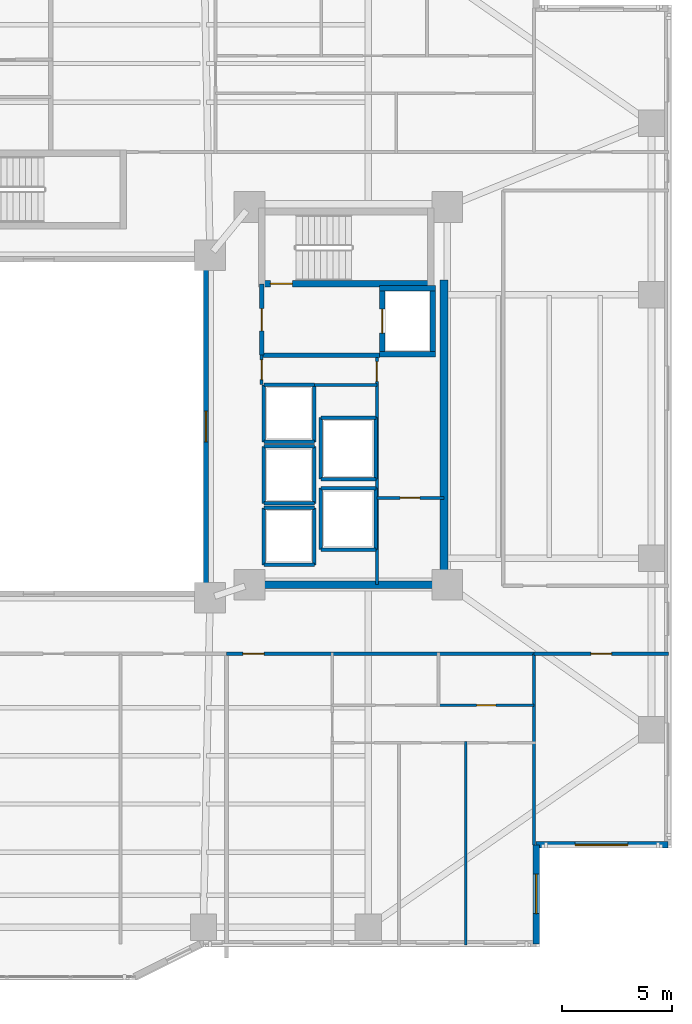
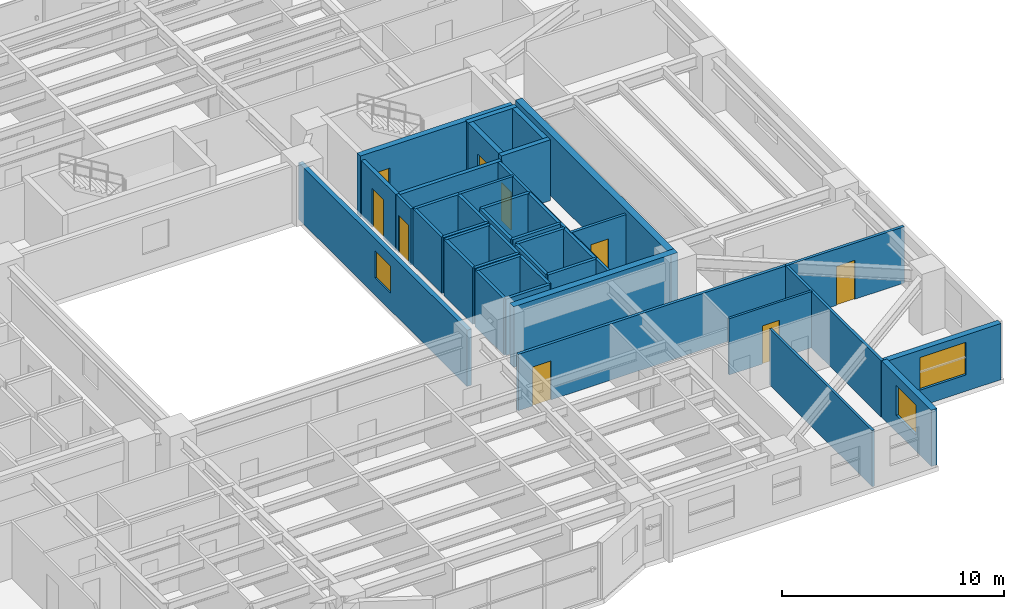
# One storey, part 12 of 20: 41 walls, 9 doors, 3 windows, 12 openings.
"""IFC4 building model written with IfcOpenShell, lengths in metres."""

import ifcopenshell
import ifcopenshell.guid

model = None  # the IFC model being written
_history = None  # IfcOwnerHistory: only IFC2X3 demands one
_inside = {}  # id of a spatial element -> (the spatial element, [elements in it])
_under = {}  # id of a project, library or spatial element -> (it, [spatial elements below it])
_declared = {}  # id of a project -> (the project, [libraries it declares])
_typed = {}  # id of a type object -> (the type object, [elements of that type])
_made_of = {}  # id of a material, layer set ... -> (it, [elements and type objects made of it])


def new_model(schema):
    """Start an empty IFC model of exactly this schema.

    Asked for "IFC4X3", IfcOpenShell would pick the latest addendum, in which some entities
    have other attributes; the version numbers below select the first issue.
    IFC2X3 requires an IfcOwnerHistory on every rooted entity: one is made here for all.
    """
    global model, _history
    if schema == "IFC4X3":
        model = ifcopenshell.file(schema_version=(4, 3, 0, 0))
    else:
        model = ifcopenshell.file(schema=schema)
    _inside.clear()
    _under.clear()
    _declared.clear()
    _typed.clear()
    _made_of.clear()
    _history = None
    if model.schema == "IFC2X3":
        org = make("IfcOrganization", Name="unknown")
        user = make(
            "IfcPersonAndOrganization",
            ThePerson=make("IfcPerson", FamilyName="unknown"),
            TheOrganization=org,
        )
        app = make(
            "IfcApplication",
            ApplicationDeveloper=org,
            Version="unknown",
            ApplicationFullName="unknown",
            ApplicationIdentifier="unknown",
        )
        _history = make(
            "IfcOwnerHistory",
            OwningUser=user,
            OwningApplication=app,
            ChangeAction="ADDED",
            CreationDate=0,
        )
    return model


def make(cls, **values):
    """One entity of the class cls with the attributes given. An attribute that is None is left unset."""
    return model.create_entity(
        cls, **{name: value for name, value in values.items() if value is not None}
    )


def rooted(cls, **values):
    """An entity with a GlobalId (a new one), such as an element, a storey or a relation."""
    return make(cls, GlobalId=ifcopenshell.guid.new(), OwnerHistory=_history, **values)


def si_unit(unit_type, name, prefix=None):
    """IfcSIUnit, for example si_unit("LENGTHUNIT", "METRE", prefix="MILLI")."""
    return make("IfcSIUnit", UnitType=unit_type, Prefix=prefix, Name=name)


def assignment(units):
    """IfcUnitAssignment: the units of a project."""
    return None if units is None else make("IfcUnitAssignment", Units=units)


def point(xyz):
    """IfcCartesianPoint."""
    return None if xyz is None else make("IfcCartesianPoint", Coordinates=xyz)


def direction(xyz):
    """IfcDirection."""
    return None if xyz is None else make("IfcDirection", DirectionRatios=xyz)


def frame(location, z_axis=None, x_axis=None):
    """IfcAxis2Placement3D, a coordinate frame: its origin and axes. An axis left out is left unset."""
    return make(
        "IfcAxis2Placement3D",
        Location=point(location),
        Axis=direction(z_axis),
        RefDirection=direction(x_axis),
    )


def frame_2d(location, x_axis=None):
    """IfcAxis2Placement2D, a coordinate frame in the plane: its origin and x axis."""
    return make(
        "IfcAxis2Placement2D", Location=point(location), RefDirection=direction(x_axis)
    )


def origin():
    """The frame at (0, 0, 0) with its axes left unset."""
    return frame((0.0, 0.0, 0.0))


def place(relative_to, where):
    """IfcLocalPlacement: puts the frame where relative to a parent placement (None: the world)."""
    return make(
        "IfcLocalPlacement", PlacementRelTo=relative_to, RelativePlacement=where
    )


def context(
    kind, dimensions, precision=None, world=None, true_north=None, identifier=None
):
    """IfcGeometricRepresentationContext, for example the 3D "Model" context."""
    return make(
        "IfcGeometricRepresentationContext",
        ContextIdentifier=identifier,
        ContextType=kind,
        CoordinateSpaceDimension=dimensions,
        Precision=precision,
        WorldCoordinateSystem=world,
        TrueNorth=true_north,
    )


def subcontext(parent, identifier, kind, view, scale=None):
    """IfcGeometricRepresentationSubContext, for example "Body" below "Model"."""
    return make(
        "IfcGeometricRepresentationSubContext",
        ContextIdentifier=identifier,
        ContextType=kind,
        ParentContext=parent,
        TargetScale=scale,
        TargetView=view,
    )


def project(units=None, contexts=None):
    """IfcProject with its units and contexts."""
    return rooted(
        "IfcProject",
        Name="project",
        RepresentationContexts=contexts,
        UnitsInContext=assignment(units),
    )


def spatial(cls, under=None, at=None, **own):
    """A site, building, storey or space (cls), placed at a placement, below another one or the project."""
    s = rooted(cls, ObjectPlacement=at, **own)
    if under is not None:
        _under.setdefault(under.id(), (under, []))[1].append(s)
    return s


def profile(cls, at=None, kind="AREA", **sizes):
    """A parametric profile (cls). Its sizes go by their IFC names, for example OverallWidth=200.0."""
    return make(cls, ProfileType=kind, Position=at, **sizes)


def rectangle(**sizes):
    """IfcRectangleProfileDef."""
    return profile("IfcRectangleProfileDef", **sizes)


def extrude(swept, where, along, depth):
    """IfcExtrudedAreaSolid: the profile swept, set in the frame where, extruded along a direction by depth."""
    return make(
        "IfcExtrudedAreaSolid",
        SweptArea=swept,
        Position=where,
        ExtrudedDirection=direction(along),
        Depth=depth,
    )


def shape(context_of_items, identifier, shape_type, items):
    """IfcShapeRepresentation: the items that make up one representation, for example the "Body"."""
    return make(
        "IfcShapeRepresentation",
        ContextOfItems=context_of_items,
        RepresentationIdentifier=identifier,
        RepresentationType=shape_type,
        Items=items,
    )


def material(Name=None, Category=None):
    """IfcMaterial."""
    return make("IfcMaterial", Name=Name, Category=Category)


def layer(
    of_material, thickness, ventilated=None, Name=None, Category=None, Priority=None
):
    """IfcMaterialLayer: one layer of a wall or slab, of a material (None: an air gap)."""
    return make(
        "IfcMaterialLayer",
        Material=of_material,
        LayerThickness=thickness,
        IsVentilated=ventilated,
        Name=Name,
        Category=Category,
        Priority=Priority,
    )


def layer_set(layers, Name=None):
    """IfcMaterialLayerSet."""
    return make("IfcMaterialLayerSet", MaterialLayers=layers, LayerSetName=Name)


def made_of(thing, what):
    """Note that an element or type object is made of a material, layer set ...; save() writes the relation."""
    if what is not None:
        _made_of.setdefault(what.id(), (what, []))[1].append(thing)
    return thing


def type_object(cls, material=None, **own):
    """A type object (cls), such as IfcWallType, which elements share."""
    return made_of(rooted(cls, **own), material)


def element(
    cls,
    number,
    at=None,
    inside=None,
    cuts=None,
    type_object=None,
    material=None,
    context=None,
    identifier="Body",
    shape_type=None,
    held_by="IfcProductDefinitionShape",
    body=None,
    shapes=None,
    **own,
):
    """One element of the class cls, such as IfcWall. Its Tag is "e" and its number.

    at: its placement. inside: the storey or other place that contains it. cuts: it is an
    opening in that element (IfcRelVoidsElement). A single representation is given by context,
    identifier, shape_type and body (its items); several are given by shapes. held_by: the class
    of the entity that holds the representations. save() writes the other relations.
    """
    e = rooted(cls, Tag="e%d" % number, ObjectPlacement=at, **own)
    if body is not None:
        shapes = [shape(context, identifier, shape_type, body)]
    if shapes is not None:
        e.Representation = make(held_by, Representations=shapes)
    if inside is not None:
        _inside.setdefault(inside.id(), (inside, []))[1].append(e)
    if cuts is not None:
        rooted(
            "IfcRelVoidsElement", RelatingBuildingElement=cuts, RelatedOpeningElement=e
        )
    if type_object is not None:
        _typed.setdefault(type_object.id(), (type_object, []))[1].append(e)
    return made_of(e, material)


def fill(opening, filler):
    """IfcRelFillsElement: the door or window that sits in an opening."""
    return rooted(
        "IfcRelFillsElement",
        RelatingOpeningElement=opening,
        RelatedBuildingElement=filler,
    )


def aggregate(whole, parts):
    """IfcRelAggregates: a whole, such as a stair, and the parts it consists of."""
    return rooted("IfcRelAggregates", RelatingObject=whole, RelatedObjects=parts)


def save(model, path):
    """Write the relations noted so far, then the file.

    IfcRelAggregates (storeys below a building ...), IfcRelContainedInSpatialStructure (elements
    in a storey), IfcRelDefinesByType, IfcRelAssociatesMaterial and IfcRelDeclares: one each for
    every whole, place, type object, material and project.
    """
    for whole, parts in _under.values():
        aggregate(whole, parts)
    for where, things in _inside.values():
        rooted(
            "IfcRelContainedInSpatialStructure",
            RelatedElements=things,
            RelatingStructure=where,
        )
    for kind, things in _typed.values():
        rooted("IfcRelDefinesByType", RelatedObjects=things, RelatingType=kind)
    for what, things in _made_of.values():
        rooted("IfcRelAssociatesMaterial", RelatedObjects=things, RelatingMaterial=what)
    for by, libraries in _declared.values():
        rooted("IfcRelDeclares", RelatingContext=by, RelatedDefinitions=libraries)
    model.write(path)


model = new_model("IFC4")

# Units and contexts
model_context = context("Model", 3, precision=1e-05, world=origin(), true_north=direction((0.0, 1.0)))
body_context = subcontext(model_context, "Body", "Model", "MODEL_VIEW")
ifc_project = project(units=[si_unit("LENGTHUNIT", "METRE"), si_unit("AREAUNIT", "SQUARE_METRE"), si_unit("VOLUMEUNIT", "CUBIC_METRE"), si_unit("PLANEANGLEUNIT", "RADIAN"), si_unit("MASSUNIT", "GRAM", prefix="KILO")], contexts=[model_context])

# Site, building, storey
site_placement = place(None, origin())
site = spatial("IfcSite", under=ifc_project, at=site_placement, CompositionType="ELEMENT")
building_placement = place(site_placement, origin())
building = spatial("IfcBuilding", under=site, at=building_placement, Name="Tarnavaz Court Tower", CompositionType="ELEMENT")
storey_placement = place(building_placement, frame((0.0, 0.0, 34.050048828125)))
storey = spatial("IfcBuildingStorey", under=building, at=storey_placement, Name="L08", CompositionType="ELEMENT", Elevation=34.050048828125)

# Wall, opening, door
ifc_material_1 = material(Name="Concrete C60/75", Category="concrete")
ifc_layer_1 = layer(ifc_material_1, 0.25)
ifc_layer_set_1 = layer_set([ifc_layer_1], Name="Concrete C60/75")
wall_type_1 = type_object("IfcWallType", Name="WL-CORE-250-C60", PredefinedType="SHEAR", material=ifc_layer_set_1)
wall_1_placement = place(storey_placement, frame((15.64990234375, 3.175048828125, 0.0), z_axis=(0.0, 0.0, 1.0), x_axis=(0.0, 1.0, 0.0)))
wall_1 = element("IfcWall", 1, at=wall_1_placement, inside=storey, type_object=wall_type_1, Name="L08 Lift FL-E1 Shaft Wall 045", PredefinedType="SHEAR", context=body_context, shape_type="SweptSolid", body=[
    extrude(rectangle(XDim=3.25, YDim=0.25, at=frame_2d((1.625, 0.0))), origin(), (0.0, 0.0, 1.0), 3.349853515625),
])
opening_1_placement = place(wall_1_placement, frame((1.074951171875, 0.0, 0.0)))
opening_1 = element("IfcOpeningElement", 2, at=opening_1_placement, cuts=wall_1, Name="Opening LD1", PredefinedType="OPENING", context=body_context, shape_type="SweptSolid", body=[
    extrude(rectangle(XDim=1.10009765625, YDim=2.14990234375, at=frame_2d((0.550048828125, 1.074951171875))), frame((0.0, 0.135009765625, 0.0), z_axis=(0.0, -1.0, 0.0), x_axis=(1.0, 0.0, 0.0)), (0.0, 0.0, 1.0), 0.27001953125),
])
ifc_material_2 = material(Name="Stainless Steel", Category="steel")
door_type_1 = type_object("IfcDoorType", Name="DR-LD-1100", OperationType="NOTDEFINED", PredefinedType="DOOR", material=ifc_material_2)
door_1_placement = place(opening_1_placement, origin())
door_1 = element("IfcDoor", 3, at=door_1_placement, inside=storey, type_object=door_type_1, Name="L08 Lift Landing Door LD-FL-E1", OperationType="SLIDING_TO_LEFT", OverallHeight=2.14990234375, OverallWidth=1.10009765625, PredefinedType="DOOR", context=body_context, shape_type="SweptSolid", body=[
    extrude(rectangle(XDim=1.10009765625, YDim=2.14990234375, at=frame_2d((0.550048828125, 1.074951171875))), frame((0.0, 0.02490234375, 0.0), z_axis=(0.0, -1.0, 0.0), x_axis=(1.0, 0.0, 0.0)), (0.0, 0.0, 1.0), 0.050048828125),
])
fill(opening_1, door_1)

# Walls
wall_2_placement = place(storey_placement, frame((17.949951171875, 3.175048828125, 0.0), z_axis=(0.0, 0.0, 1.0), x_axis=(0.0, 1.0, 0.0)))
element("IfcWall", 4, at=wall_2_placement, inside=storey, type_object=wall_type_1, Name="L08 Lift FL-E1 Shaft Wall 046", PredefinedType="SHEAR", context=body_context, shape_type="SweptSolid", body=[
    extrude(rectangle(XDim=3.25, YDim=0.25, at=frame_2d((1.625, 0.0))), origin(), (0.0, 0.0, 1.0), 3.349853515625),
])
for number, where, z_axis, x_axis, name in (
    (5, (15.52490234375, 3.300048828125, 0.0), (0.0, 0.0, 1.0), (1.0, 0.0, 0.0), "L08 Lift FL-E1 Shaft Wall 047"),
    (6, (15.52490234375, 6.300048828125, 0.0), (0.0, 0.0, 1.0), (1.0, 0.0, 0.0), "L08 Lift FL-E1 Shaft Wall 048"),
):
    element("IfcWall", number, at=place(storey_placement, frame(where, z_axis=z_axis, x_axis=x_axis)), inside=storey, type_object=wall_type_1, Name=name, PredefinedType="SHEAR", context=body_context, shape_type="SweptSolid", body=[
        extrude(rectangle(XDim=2.550048828125, YDim=0.25, at=frame_2d((1.27490234375, 0.0))), origin(), (0.0, 0.0, 1.0), 3.349853515625),
    ])

# Wall, opening, door
ifc_layer_2 = layer(ifc_material_1, 0.300048828125)
ifc_layer_set_2 = layer_set([ifc_layer_2], Name="Concrete C60/75")
wall_type_2 = type_object("IfcWallType", Name="WL-CORE-300-C60", PredefinedType="SHEAR", material=ifc_layer_set_2)
wall_3_placement = place(storey_placement, frame((10.0, 6.5, 0.0), z_axis=(0.0, 0.0, 1.0), x_axis=(1.0, 0.0, 0.0)))
wall_3 = element("IfcWall", 7, at=wall_3_placement, inside=storey, type_object=wall_type_2, Name="L08 East Stair Core Wall 006", PredefinedType="SHEAR", context=body_context, shape_type="SweptSolid", body=[
    extrude(rectangle(XDim=8.0, YDim=0.300048828125, at=frame_2d((4.0, 0.0))), origin(), (0.0, 0.0, 1.0), 3.349853515625),
])
opening_2_placement = place(wall_3_placement, frame((0.550048828125, 0.0, 0.0)))
opening_2 = element("IfcOpeningElement", 8, at=opening_2_placement, cuts=wall_3, Name="Opening D01", PredefinedType="OPENING", context=body_context, shape_type="SweptSolid", body=[
    extrude(rectangle(XDim=1.0, YDim=2.14990234375, at=frame_2d((0.5, 1.074951171875))), frame((0.0, 0.159912109375, 0.0), z_axis=(0.0, -1.0, 0.0), x_axis=(1.0, 0.0, 0.0)), (0.0, 0.0, 1.0), 0.320068359375),
])
ifc_material_3 = material(Name="Fire-Rated Hardwood Timber Core", Category="wood")
door_type_2 = type_object("IfcDoorType", Name="DR-FD90-1000", OperationType="NOTDEFINED", PredefinedType="DOOR", material=ifc_material_3)
door_2_placement = place(opening_2_placement, origin())
door_2 = element("IfcDoor", 9, at=door_2_placement, inside=storey, type_object=door_type_2, Name="L08 Stair ST-E1 Exit Door", OperationType="SINGLE_SWING_RIGHT", OverallHeight=2.14990234375, OverallWidth=1.0, PredefinedType="DOOR", context=body_context, shape_type="SweptSolid", body=[
    extrude(rectangle(XDim=1.0, YDim=2.14990234375, at=frame_2d((0.5, 1.074951171875))), frame((0.0, 0.02490234375, 0.0), z_axis=(0.0, -1.0, 0.0), x_axis=(1.0, 0.0, 0.0)), (0.0, 0.0, 1.0), 0.050048828125),
])
fill(opening_2, door_2)

# Walls
ifc_layer_3 = layer(ifc_material_1, 0.35009765625)
ifc_layer_set_3 = layer_set([ifc_layer_3], Name="Concrete C60/75")
wall_type_3 = type_object("IfcWallType", Name="WL-CORE-350-C60", PredefinedType="SHEAR", material=ifc_layer_set_3)
wall_4_placement = place(storey_placement, frame((18.449951171875, -7.375, 0.0), z_axis=(0.0, 0.0, 1.0), x_axis=(0.0, 1.0, 0.0)))
element("IfcWall", 10, at=wall_4_placement, inside=storey, type_object=wall_type_3, Name="L08 East Core Shear Wall 071", PredefinedType="SHEAR", context=body_context, shape_type="SweptSolid", body=[
    extrude(rectangle(XDim=14.050048828125, YDim=0.35009765625, at=frame_2d((7.02490234375, 0.0))), origin(), (0.0, 0.0, 1.0), 3.349853515625),
])
wall_5_placement = place(storey_placement, frame((10.074951171875, -7.199951171875, 0.0), z_axis=(0.0, 0.0, 1.0), x_axis=(1.0, 0.0, 0.0)))
element("IfcWall", 11, at=wall_5_placement, inside=storey, type_object=wall_type_3, Name="L08 East Core South Shear Wall 072", PredefinedType="SHEAR", context=body_context, shape_type="SweptSolid", body=[
    extrude(rectangle(XDim=8.550048828125, YDim=0.35009765625, at=frame_2d((4.27490234375, 0.0))), origin(), (0.0, 0.0, 1.0), 3.349853515625),
])

# Wall, opening, window
ifc_material_4 = material(Name="Precast Concrete C40/50", Category="concrete")
ifc_layer_4 = layer(ifc_material_4, 0.300048828125)
ifc_layer_set_4 = layer_set([ifc_layer_4], Name="Precast Concrete C40/50")
wall_type_4 = type_object("IfcWallType", Name="WL-EXT-300", PredefinedType="SOLIDWALL", material=ifc_layer_set_4)
wall_6_placement = place(storey_placement, frame((28.64990234375, -19.050048828125, 0.0), z_axis=(0.0, 0.0, 1.0), x_axis=(-1.0, 0.0, 0.0)))
wall_6 = element("IfcWall", 12, at=wall_6_placement, inside=storey, type_object=wall_type_4, Name="L08 Exterior Terracotta Facade Wall 13", PredefinedType="SOLIDWALL", context=body_context, shape_type="SweptSolid", body=[
    extrude(rectangle(XDim=6.0, YDim=0.300048828125, at=frame_2d((3.0, 0.0))), origin(), (0.0, 0.0, 1.0), 3.099853515625),
])
opening_3_placement = place(wall_6_placement, frame((1.824951171875, 0.0, 0.89990234375)))
opening_3 = element("IfcOpeningElement", 13, at=opening_3_placement, cuts=wall_6, Name="Opening W06", PredefinedType="OPENING", context=body_context, shape_type="SweptSolid", body=[
    extrude(rectangle(XDim=2.39990234375, YDim=1.800048828125, at=frame_2d((1.199951171875, 0.89990234375))), frame((0.0, 0.159912109375, 0.0), z_axis=(0.0, -1.0, 0.0), x_axis=(1.0, 0.0, 0.0)), (0.0, 0.0, 1.0), 0.320068359375),
])
ifc_material_5 = material(Name="Double-Glazed Solar Low-E Glass", Category="glass")
window_type_1 = type_object("IfcWindowType", Name="WN-APT-2400", PartitioningType="TRIPLE_PANEL_VERTICAL", PredefinedType="WINDOW", material=ifc_material_5)
window_1_placement = place(opening_3_placement, origin())
window_1 = element("IfcWindow", 14, at=window_1_placement, inside=storey, type_object=window_type_1, Name="L08 South-East Corner Reading Room Window", OverallHeight=1.800048828125, OverallWidth=2.39990234375, PartitioningType="SINGLE_PANEL", PredefinedType="WINDOW", context=body_context, shape_type="SweptSolid", body=[
    extrude(rectangle(XDim=2.39990234375, YDim=1.800048828125, at=frame_2d((1.199951171875, 0.89990234375))), frame((0.0, 0.030029296875, 0.0), z_axis=(0.0, -1.0, 0.0), x_axis=(1.0, 0.0, 0.0)), (0.0, 0.0, 1.0), 0.06005859375),
])
fill(opening_3, window_1)

wall_7_placement = place(storey_placement, frame((22.64990234375, -19.050048828125, 0.0), z_axis=(0.0, 0.0, 1.0), x_axis=(0.0, -1.0, 0.0)))
wall_7 = element("IfcWall", 15, at=wall_7_placement, inside=storey, type_object=wall_type_4, Name="L08 Exterior Terracotta Facade Wall 14", PredefinedType="SOLIDWALL", context=body_context, shape_type="SweptSolid", body=[
    extrude(rectangle(XDim=4.5, YDim=0.300048828125, at=frame_2d((2.25, 0.0))), origin(), (0.0, 0.0, 1.0), 3.099853515625),
])
opening_4_placement = place(wall_7_placement, frame((1.33251953125, 0.0, 0.89990234375)))
opening_4 = element("IfcOpeningElement", 16, at=opening_4_placement, cuts=wall_7, Name="Opening W01", PredefinedType="OPENING", context=body_context, shape_type="SweptSolid", body=[
    extrude(rectangle(XDim=1.800048828125, YDim=1.64990234375, at=frame_2d((0.89990234375, 0.824951171875))), frame((0.0, 0.159912109375, 0.0), z_axis=(0.0, -1.0, 0.0), x_axis=(1.0, 0.0, 0.0)), (0.0, 0.0, 1.0), 0.320068359375),
])
window_type_2 = type_object("IfcWindowType", Name="WN-APT-1800", PartitioningType="DOUBLE_PANEL_VERTICAL", PredefinedType="WINDOW", material=ifc_material_5)
window_2_placement = place(opening_4_placement, origin())
window_2 = element("IfcWindow", 17, at=window_2_placement, inside=storey, type_object=window_type_2, Name="L08 Flat 04 Bedroom 3 Window", OverallHeight=1.64990234375, OverallWidth=1.800048828125, PartitioningType="SINGLE_PANEL", PredefinedType="WINDOW", context=body_context, shape_type="SweptSolid", body=[
    extrude(rectangle(XDim=1.800048828125, YDim=1.64990234375, at=frame_2d((0.89990234375, 0.824951171875))), frame((0.0, 0.030029296875, 0.0), z_axis=(0.0, -1.0, 0.0), x_axis=(1.0, 0.0, 0.0)), (0.0, 0.0, 1.0), 0.06005859375),
])
fill(opening_4, window_2)

# Wall, opening, door
ifc_material_6 = material(Name="Gypsum Fire-Board on Acoustic Metal Stud", Category="masonry")
ifc_layer_5 = layer(ifc_material_6, 0.14990234375)
ifc_layer_set_5 = layer_set([ifc_layer_5], Name="Gypsum Fire-Board on Acoustic Metal Stud")
wall_type_5 = type_object("IfcWallType", Name="WL-FIRE-150", PredefinedType="PARTITIONING", material=ifc_layer_set_5)
wall_8_placement = place(storey_placement, frame((8.550048828125, -10.35009765625, 0.0), z_axis=(0.0, 0.0, 1.0), x_axis=(1.0, 0.0, 0.0)))
wall_8 = element("IfcWall", 18, at=wall_8_placement, inside=storey, type_object=wall_type_5, Name="L08 SE Corridor Wall 086", PredefinedType="PARTITIONING", context=body_context, shape_type="SweptSolid", body=[
    extrude(rectangle(XDim=14.0, YDim=0.14990234375, at=frame_2d((7.0, 0.0))), origin(), (0.0, 0.0, 1.0), 3.099853515625),
])
opening_5_placement = place(wall_8_placement, frame((0.75, 0.0, 0.0)))
opening_5 = element("IfcOpeningElement", 19, at=opening_5_placement, cuts=wall_8, Name="Opening D06", PredefinedType="OPENING", context=body_context, shape_type="SweptSolid", body=[
    extrude(rectangle(XDim=0.9599609375, YDim=2.14990234375, at=frame_2d((0.47998046875, 1.074951171875))), frame((0.0, 0.0849609375, 0.0), z_axis=(0.0, -1.0, 0.0), x_axis=(1.0, 0.0, 0.0)), (0.0, 0.0, 1.0), 0.169921875),
])
door_type_3 = type_object("IfcDoorType", Name="DR-FD60-950", OperationType="NOTDEFINED", PredefinedType="DOOR", material=ifc_material_3)
door_3_placement = place(opening_5_placement, origin())
door_3 = element("IfcDoor", 20, at=door_3_placement, inside=storey, type_object=door_type_3, Name="L08 Flat 04 Entrance Door", OperationType="SINGLE_SWING_LEFT", OverallHeight=2.14990234375, OverallWidth=0.9599609375, PredefinedType="DOOR", context=body_context, shape_type="SweptSolid", body=[
    extrude(rectangle(XDim=0.9599609375, YDim=2.14990234375, at=frame_2d((0.47998046875, 1.074951171875))), frame((0.0, 0.02490234375, 0.0), z_axis=(0.0, -1.0, 0.0), x_axis=(1.0, 0.0, 0.0)), (0.0, 0.0, 1.0), 0.050048828125),
])
fill(opening_5, door_3)

wall_9_placement = place(storey_placement, frame((22.550048828125, -10.35009765625, 0.0), z_axis=(0.0, 0.0, 1.0), x_axis=(1.0, 0.0, 0.0)))
wall_9 = element("IfcWall", 21, at=wall_9_placement, inside=storey, type_object=wall_type_5, Name="L08 Interior Partition 132", PredefinedType="PARTITIONING", context=body_context, shape_type="SweptSolid", body=[
    extrude(rectangle(XDim=6.1298828125, YDim=0.14990234375, at=frame_2d((3.06494140625, 0.0))), origin(), (0.0, 0.0, 1.0), 3.099853515625),
])
opening_6_placement = place(wall_9_placement, frame((2.590087890625, 0.0, 0.0)))
opening_6 = element("IfcOpeningElement", 22, at=opening_6_placement, cuts=wall_9, Name="Opening D13", PredefinedType="OPENING", context=body_context, shape_type="SweptSolid", body=[
    extrude(rectangle(XDim=0.949951171875, YDim=2.14990234375, at=frame_2d((0.47509765625, 1.074951171875))), frame((0.0, 0.0849609375, 0.0), z_axis=(0.0, -1.0, 0.0), x_axis=(1.0, 0.0, 0.0)), (0.0, 0.0, 1.0), 0.169921875),
])
ifc_material_7 = material(Name="Engineered Oak Timber", Category="wood")
door_type_4 = type_object("IfcDoorType", Name="DR-INT-950", OperationType="NOTDEFINED", PredefinedType="DOOR", material=ifc_material_7)
door_4_placement = place(opening_6_placement, origin())
door_4 = element("IfcDoor", 23, at=door_4_placement, inside=storey, type_object=door_type_4, Name="L08 SE Reading Room Door", OperationType="SINGLE_SWING_RIGHT", OverallHeight=2.14990234375, OverallWidth=0.949951171875, PredefinedType="DOOR", context=body_context, shape_type="SweptSolid", body=[
    extrude(rectangle(XDim=0.949951171875, YDim=2.14990234375, at=frame_2d((0.47509765625, 1.074951171875))), frame((0.0, 0.02490234375, 0.0), z_axis=(0.0, -1.0, 0.0), x_axis=(1.0, 0.0, 0.0)), (0.0, 0.0, 1.0), 0.050048828125),
])
fill(opening_6, door_4)

# Wall
ifc_material_8 = material(Name="Autoclaved Aerated Concrete Blockwork", Category="masonry")
ifc_layer_6 = layer(ifc_material_8, 0.199951171875)
ifc_layer_set_6 = layer_set([ifc_layer_6], Name="Autoclaved Aerated Concrete Blockwork")
wall_type_6 = type_object("IfcWallType", Name="WL-FIRE-200", PredefinedType="SOLIDWALL", material=ifc_layer_set_6)
wall_10_placement = place(storey_placement, frame((10.14990234375, 3.25, 0.0), z_axis=(0.0, 0.0, 1.0), x_axis=(1.0, 0.0, 0.0)))
element("IfcWall", 24, at=wall_10_placement, inside=storey, type_object=wall_type_6, Name="L08 East Firefighting Lobby Wall 015", PredefinedType="SOLIDWALL", context=body_context, shape_type="SweptSolid", body=[
    extrude(rectangle(XDim=5.400146484375, YDim=0.199951171875, at=frame_2d((2.7001953125, 0.0))), origin(), (0.0, 0.0, 1.0), 3.099853515625),
])

# Wall, opening, door
wall_11_placement = place(storey_placement, frame((10.14990234375, 3.25, 0.0), z_axis=(0.0, 0.0, 1.0), x_axis=(0.0, 1.0, 0.0)))
wall_11 = element("IfcWall", 25, at=wall_11_placement, inside=storey, type_object=wall_type_6, Name="L08 East Firefighting Lobby Wall 016", PredefinedType="SOLIDWALL", context=body_context, shape_type="SweptSolid", body=[
    extrude(rectangle(XDim=3.25, YDim=0.199951171875, at=frame_2d((1.625, 0.0))), origin(), (0.0, 0.0, 1.0), 3.099853515625),
])
opening_7_placement = place(wall_11_placement, frame((1.10009765625, 0.0, 0.0)))
opening_7 = element("IfcOpeningElement", 26, at=opening_7_placement, cuts=wall_11, Name="Opening D05", PredefinedType="OPENING", context=body_context, shape_type="SweptSolid", body=[
    extrude(rectangle(XDim=1.02001953125, YDim=2.14990234375, at=frame_2d((0.510009765625, 1.074951171875))), frame((0.0, 0.10986328125, 0.0), z_axis=(0.0, -1.0, 0.0), x_axis=(1.0, 0.0, 0.0)), (0.0, 0.0, 1.0), 0.219970703125),
])
door_type_5 = type_object("IfcDoorType", Name="DR-FD60-1000", OperationType="NOTDEFINED", PredefinedType="DOOR", material=ifc_material_3)
door_5_placement = place(opening_7_placement, origin())
door_5 = element("IfcDoor", 27, at=door_5_placement, inside=storey, type_object=door_type_5, Name="L08 East Firefighting Lobby Door", OperationType="SINGLE_SWING_LEFT", OverallHeight=2.14990234375, OverallWidth=1.02001953125, PredefinedType="DOOR", context=body_context, shape_type="SweptSolid", body=[
    extrude(rectangle(XDim=1.02001953125, YDim=2.14990234375, at=frame_2d((0.510009765625, 1.074951171875))), frame((0.0, 0.02490234375, 0.0), z_axis=(0.0, -1.0, 0.0), x_axis=(1.0, 0.0, 0.0)), (0.0, 0.0, 1.0), 0.050048828125),
])
fill(opening_7, door_5)

ifc_material_9 = material(Name="Moisture-Resistant Gypsum Board Partition", Category="masonry")
ifc_layer_7 = layer(ifc_material_9, 0.1201171875)
ifc_layer_set_7 = layer_set([ifc_layer_7], Name="Moisture-Resistant Gypsum Board Partition")
wall_type_7 = type_object("IfcWallType", Name="WL-PART-120", PredefinedType="PARTITIONING", material=ifc_layer_set_7)
wall_12_placement = place(storey_placement, frame((18.199951171875, -12.68994140625, 0.0), z_axis=(0.0, 0.0, 1.0), x_axis=(1.0, 0.0, 0.0)))
wall_12 = element("IfcWall", 28, at=wall_12_placement, inside=storey, type_object=wall_type_7, Name="L08 Interior Partition 112", PredefinedType="PARTITIONING", context=body_context, shape_type="SweptSolid", body=[
    extrude(rectangle(XDim=4.35009765625, YDim=0.1201171875, at=frame_2d((2.175048828125, 0.0))), origin(), (0.0, 0.0, 1.0), 3.099853515625),
])
opening_8_placement = place(wall_12_placement, frame((1.735107421875, 0.0, 0.0)))
opening_8 = element("IfcOpeningElement", 29, at=opening_8_placement, cuts=wall_12, Name="Opening D14", PredefinedType="OPENING", context=body_context, shape_type="SweptSolid", body=[
    extrude(rectangle(XDim=0.8798828125, YDim=2.10009765625, at=frame_2d((0.43994140625, 1.050048828125))), frame((0.0, 0.070068359375, 0.0), z_axis=(0.0, -1.0, 0.0), x_axis=(1.0, 0.0, 0.0)), (0.0, 0.0, 1.0), 0.14013671875),
])
door_type_6 = type_object("IfcDoorType", Name="DR-INT-900", OperationType="NOTDEFINED", PredefinedType="DOOR", material=ifc_material_7)
door_6_placement = place(opening_8_placement, origin())
door_6 = element("IfcDoor", 30, at=door_6_placement, inside=storey, type_object=door_type_6, Name="L08 Flat 04 Bathroom Door", OperationType="SINGLE_SWING_RIGHT", OverallHeight=2.10009765625, OverallWidth=0.8798828125, PredefinedType="DOOR", context=body_context, shape_type="SweptSolid", body=[
    extrude(rectangle(XDim=0.8798828125, YDim=2.10009765625, at=frame_2d((0.43994140625, 1.050048828125))), frame((0.0, 0.02490234375, 0.0), z_axis=(0.0, -1.0, 0.0), x_axis=(1.0, 0.0, 0.0)), (0.0, 0.0, 1.0), 0.050048828125),
])
fill(opening_8, door_6)

# Walls
wall_13_placement = place(storey_placement, frame((19.447021484375, -23.60009765625, 0.0), z_axis=(0.0, 0.0, 1.0), x_axis=(0.0, 1.0, 0.0)))
element("IfcWall", 31, at=wall_13_placement, inside=storey, type_object=wall_type_7, Name="L08 Interior Partition 116", PredefinedType="PARTITIONING", context=body_context, shape_type="SweptSolid", body=[
    extrude(rectangle(XDim=9.260009765625, YDim=0.1201171875, at=frame_2d((4.6298828125, 0.0))), origin(), (0.0, 0.0, 1.0), 3.099853515625),
])
ifc_material_10 = material(Name="Gypsum Plasterboard Acoustic Partition", Category="masonry")
ifc_layer_8 = layer(ifc_material_10, 0.139892578125)
ifc_layer_set_8 = layer_set([ifc_layer_8], Name="Gypsum Plasterboard Acoustic Partition")
wall_type_8 = type_object("IfcWallType", Name="WL-PART-150", PredefinedType="PARTITIONING", material=ifc_layer_set_8)
wall_14_placement = place(storey_placement, frame((12.550048828125, 1.89990234375, 0.0), z_axis=(0.0, 0.0, 1.0), x_axis=(1.0, 0.0, 0.0)))
element("IfcWall", 32, at=wall_14_placement, inside=storey, type_object=wall_type_8, Name="L08 Interior Partition 077", PredefinedType="PARTITIONING", context=body_context, shape_type="SweptSolid", body=[
    extrude(rectangle(XDim=2.849853515625, YDim=0.139892578125, at=frame_2d((1.4248046875, 0.0))), origin(), (0.0, 0.0, 1.0), 3.099853515625),
])

# Wall, opening, door
wall_15_placement = place(storey_placement, frame((10.14990234375, 1.919921875, 0.0), z_axis=(0.0, 0.0, 1.0), x_axis=(0.0, 1.0, 0.0)))
wall_15 = element("IfcWall", 33, at=wall_15_placement, inside=storey, type_object=wall_type_8, Name="L08 Interior Partition 078", PredefinedType="PARTITIONING", context=body_context, shape_type="SweptSolid", body=[
    extrude(rectangle(XDim=1.330078125, YDim=0.139892578125, at=frame_2d((0.6650390625, 0.0))), origin(), (0.0, 0.0, 1.0), 3.099853515625),
])
opening_9_placement = place(wall_15_placement, frame((0.219970703125, 0.0, 0.0)))
opening_9 = element("IfcOpeningElement", 34, at=opening_9_placement, cuts=wall_15, Name="Opening D09", PredefinedType="OPENING", context=body_context, shape_type="SweptSolid", body=[
    extrude(rectangle(XDim=0.89990234375, YDim=2.080078125, at=frame_2d((0.449951171875, 1.0400390625))), frame((0.0, 0.079833984375, 0.0), z_axis=(0.0, -1.0, 0.0), x_axis=(1.0, 0.0, 0.0)), (0.0, 0.0, 1.0), 0.159912109375),
])
door_type_7 = type_object("IfcDoorType", Name="DR-FD30-900", OperationType="NOTDEFINED", PredefinedType="DOOR", material=ifc_material_3)
door_7_placement = place(opening_9_placement, origin())
door_7 = element("IfcDoor", 35, at=door_7_placement, inside=storey, type_object=door_type_7, Name="L08 East Core Service Lobby Door", OperationType="SINGLE_SWING_RIGHT", OverallHeight=2.080078125, OverallWidth=0.89990234375, PredefinedType="DOOR", context=body_context, shape_type="SweptSolid", body=[
    extrude(rectangle(XDim=0.89990234375, YDim=2.080078125, at=frame_2d((0.449951171875, 1.0400390625))), frame((0.0, 0.02490234375, 0.0), z_axis=(0.0, -1.0, 0.0), x_axis=(1.0, 0.0, 0.0)), (0.0, 0.0, 1.0), 0.050048828125),
])
fill(opening_9, door_7)

wall_16_placement = place(storey_placement, frame((15.39990234375, -7.199951171875, 0.0), z_axis=(0.0, 0.0, 1.0), x_axis=(0.0, 1.0, 0.0)))
wall_16 = element("IfcWall", 36, at=wall_16_placement, inside=storey, type_object=wall_type_8, Name="L08 Interior Partition 079", PredefinedType="PARTITIONING", context=body_context, shape_type="SweptSolid", body=[
    extrude(rectangle(XDim=10.449951171875, YDim=0.139892578125, at=frame_2d((5.22509765625, 0.0))), origin(), (0.0, 0.0, 1.0), 3.099853515625),
])
opening_10_placement = place(wall_16_placement, frame((9.25, 0.0, 0.0)))
opening_10 = element("IfcOpeningElement", 37, at=opening_10_placement, cuts=wall_16, Name="Opening D09", PredefinedType="OPENING", context=body_context, shape_type="SweptSolid", body=[
    extrude(rectangle(XDim=0.89990234375, YDim=2.080078125, at=frame_2d((0.449951171875, 1.0400390625))), frame((0.0, 0.079833984375, 0.0), z_axis=(0.0, -1.0, 0.0), x_axis=(1.0, 0.0, 0.0)), (0.0, 0.0, 1.0), 0.159912109375),
])
door_8_placement = place(opening_10_placement, origin())
door_8 = element("IfcDoor", 38, at=door_8_placement, inside=storey, type_object=door_type_7, Name="L08 East Wet Riser Door", OperationType="SINGLE_SWING_LEFT", OverallHeight=2.080078125, OverallWidth=0.89990234375, PredefinedType="DOOR", context=body_context, shape_type="SweptSolid", body=[
    extrude(rectangle(XDim=0.89990234375, YDim=2.080078125, at=frame_2d((0.449951171875, 1.0400390625))), frame((0.0, 0.02490234375, 0.0), z_axis=(0.0, -1.0, 0.0), x_axis=(1.0, 0.0, 0.0)), (0.0, 0.0, 1.0), 0.050048828125),
])
fill(opening_10, door_8)

wall_17_placement = place(storey_placement, frame((15.39990234375, -3.25, 0.0), z_axis=(0.0, 0.0, 1.0), x_axis=(1.0, 0.0, 0.0)))
wall_17 = element("IfcWall", 39, at=wall_17_placement, inside=storey, type_object=wall_type_8, Name="L08 Interior Partition 080", PredefinedType="PARTITIONING", context=body_context, shape_type="SweptSolid", body=[
    extrude(rectangle(XDim=3.050048828125, YDim=0.139892578125, at=frame_2d((1.52490234375, 0.0))), origin(), (0.0, 0.0, 1.0), 3.099853515625),
])
opening_11_placement = place(wall_17_placement, frame((1.050048828125, 0.0, 0.0)))
opening_11 = element("IfcOpeningElement", 40, at=opening_11_placement, cuts=wall_17, Name="Opening D09", PredefinedType="OPENING", context=body_context, shape_type="SweptSolid", body=[
    extrude(rectangle(XDim=0.89990234375, YDim=2.080078125, at=frame_2d((0.449951171875, 1.0400390625))), frame((0.0, 0.079833984375, 0.0), z_axis=(0.0, -1.0, 0.0), x_axis=(1.0, 0.0, 0.0)), (0.0, 0.0, 1.0), 0.159912109375),
])
door_9_placement = place(opening_11_placement, origin())
door_9 = element("IfcDoor", 41, at=door_9_placement, inside=storey, type_object=door_type_7, Name="L08 East Electrical Plant Door", OperationType="SINGLE_SWING_RIGHT", OverallHeight=2.080078125, OverallWidth=0.89990234375, PredefinedType="DOOR", context=body_context, shape_type="SweptSolid", body=[
    extrude(rectangle(XDim=0.89990234375, YDim=2.080078125, at=frame_2d((0.449951171875, 1.0400390625))), frame((0.0, 0.02490234375, 0.0), z_axis=(0.0, -1.0, 0.0), x_axis=(1.0, 0.0, 0.0)), (0.0, 0.0, 1.0), 0.050048828125),
])
fill(opening_11, door_9)

# Walls
wall_18_placement = place(storey_placement, frame((22.550048828125, -19.050048828125, 0.0), z_axis=(0.0, 0.0, 1.0), x_axis=(0.0, 1.0, 0.0)))
element("IfcWall", 42, at=wall_18_placement, inside=storey, type_object=wall_type_8, Name="L08 Interior Partition 126", PredefinedType="PARTITIONING", context=body_context, shape_type="SweptSolid", body=[
    extrude(rectangle(XDim=8.699951171875, YDim=0.139892578125, at=frame_2d((4.35009765625, 0.0))), origin(), (0.0, 0.0, 1.0), 3.099853515625),
])
ifc_layer_9 = layer(ifc_material_8, 0.159912109375)
ifc_layer_set_9 = layer_set([ifc_layer_9], Name="Autoclaved Aerated Concrete Blockwork")
wall_type_9 = type_object("IfcWallType", Name="WL-SHAFT-150", PredefinedType="SOLIDWALL", material=ifc_layer_set_9)
for number, where, z_axis, x_axis, name in (
    (43, (10.25, -6.300048828125, 0.0), (0.0, 0.0, 1.0), (0.0, 1.0, 0.0), "L08 Lift PL-M1 Shaft Wall 049"),
    (44, (12.550048828125, -6.300048828125, 0.0), (0.0, 0.0, 1.0), (0.0, 1.0, 0.0), "L08 Lift PL-M1 Shaft Wall 050"),
):
    element("IfcWall", number, at=place(storey_placement, frame(where, z_axis=z_axis, x_axis=x_axis)), inside=storey, type_object=wall_type_9, Name=name, PredefinedType="SOLIDWALL", context=body_context, shape_type="SweptSolid", body=[
        extrude(rectangle(XDim=2.60009765625, YDim=0.159912109375, at=frame_2d((1.300048828125, 0.0))), origin(), (0.0, 0.0, 1.0), 3.099853515625),
    ])
for number, where, z_axis, x_axis, name in (
    (45, (10.25, -6.300048828125, 0.0), (0.0, 0.0, 1.0), (1.0, 0.0, 0.0), "L08 Lift PL-M1 Shaft Wall 051"),
    (46, (10.25, -3.699951171875, 0.0), (0.0, 0.0, 1.0), (1.0, 0.0, 0.0), "L08 Lift PL-M1 Shaft Wall 052"),
):
    element("IfcWall", number, at=place(storey_placement, frame(where, z_axis=z_axis, x_axis=x_axis)), inside=storey, type_object=wall_type_9, Name=name, PredefinedType="SOLIDWALL", context=body_context, shape_type="SweptSolid", body=[
        extrude(rectangle(XDim=2.300048828125, YDim=0.159912109375, at=frame_2d((1.14990234375, 0.0))), origin(), (0.0, 0.0, 1.0), 3.099853515625),
    ])
for number, where, z_axis, x_axis, name in (
    (47, (10.25, -3.5, 0.0), (0.0, 0.0, 1.0), (0.0, 1.0, 0.0), "L08 Lift PL-M2 Shaft Wall 053"),
    (48, (12.550048828125, -3.5, 0.0), (0.0, 0.0, 1.0), (0.0, 1.0, 0.0), "L08 Lift PL-M2 Shaft Wall 054"),
):
    element("IfcWall", number, at=place(storey_placement, frame(where, z_axis=z_axis, x_axis=x_axis)), inside=storey, type_object=wall_type_9, Name=name, PredefinedType="SOLIDWALL", context=body_context, shape_type="SweptSolid", body=[
        extrude(rectangle(XDim=2.60009765625, YDim=0.159912109375, at=frame_2d((1.300048828125, 0.0))), origin(), (0.0, 0.0, 1.0), 3.099853515625),
    ])
for number, where, z_axis, x_axis, name in (
    (49, (10.25, -3.5, 0.0), (0.0, 0.0, 1.0), (1.0, 0.0, 0.0), "L08 Lift PL-M2 Shaft Wall 055"),
    (50, (10.25, -0.89990234375, 0.0), (0.0, 0.0, 1.0), (1.0, 0.0, 0.0), "L08 Lift PL-M2 Shaft Wall 056"),
):
    element("IfcWall", number, at=place(storey_placement, frame(where, z_axis=z_axis, x_axis=x_axis)), inside=storey, type_object=wall_type_9, Name=name, PredefinedType="SOLIDWALL", context=body_context, shape_type="SweptSolid", body=[
        extrude(rectangle(XDim=2.300048828125, YDim=0.159912109375, at=frame_2d((1.14990234375, 0.0))), origin(), (0.0, 0.0, 1.0), 3.099853515625),
    ])
for number, where, z_axis, x_axis, name in (
    (51, (10.25, -0.699951171875, 0.0), (0.0, 0.0, 1.0), (0.0, 1.0, 0.0), "L08 Lift PL-M3 Shaft Wall 057"),
    (52, (12.550048828125, -0.699951171875, 0.0), (0.0, 0.0, 1.0), (0.0, 1.0, 0.0), "L08 Lift PL-M3 Shaft Wall 058"),
):
    element("IfcWall", number, at=place(storey_placement, frame(where, z_axis=z_axis, x_axis=x_axis)), inside=storey, type_object=wall_type_9, Name=name, PredefinedType="SOLIDWALL", context=body_context, shape_type="SweptSolid", body=[
        extrude(rectangle(XDim=2.599853515625, YDim=0.159912109375, at=frame_2d((1.2998046875, 0.0))), origin(), (0.0, 0.0, 1.0), 3.099853515625),
    ])
for number, where, z_axis, x_axis, name in (
    (53, (10.25, -0.699951171875, 0.0), (0.0, 0.0, 1.0), (1.0, 0.0, 0.0), "L08 Lift PL-M3 Shaft Wall 059"),
    (54, (10.25, 1.89990234375, 0.0), (0.0, 0.0, 1.0), (1.0, 0.0, 0.0), "L08 Lift PL-M3 Shaft Wall 060"),
):
    element("IfcWall", number, at=place(storey_placement, frame(where, z_axis=z_axis, x_axis=x_axis)), inside=storey, type_object=wall_type_9, Name=name, PredefinedType="SOLIDWALL", context=body_context, shape_type="SweptSolid", body=[
        extrude(rectangle(XDim=2.300048828125, YDim=0.159912109375, at=frame_2d((1.14990234375, 0.0))), origin(), (0.0, 0.0, 1.0), 3.099853515625),
    ])
for number, where, z_axis, x_axis, name in (
    (55, (12.85009765625, -5.60009765625, 0.0), (0.0, 0.0, 1.0), (0.0, 1.0, 0.0), "L08 Lift PL-OB1 Shaft Wall 061"),
    (56, (15.35009765625, -5.60009765625, 0.0), (0.0, 0.0, 1.0), (0.0, 1.0, 0.0), "L08 Lift PL-OB1 Shaft Wall 062"),
):
    element("IfcWall", number, at=place(storey_placement, frame(where, z_axis=z_axis, x_axis=x_axis)), inside=storey, type_object=wall_type_9, Name=name, PredefinedType="SOLIDWALL", context=body_context, shape_type="SweptSolid", body=[
        extrude(rectangle(XDim=2.800048828125, YDim=0.159912109375, at=frame_2d((1.39990234375, 0.0))), origin(), (0.0, 0.0, 1.0), 3.099853515625),
    ])
for number, where, z_axis, x_axis, name in (
    (57, (12.85009765625, -5.60009765625, 0.0), (0.0, 0.0, 1.0), (1.0, 0.0, 0.0), "L08 Lift PL-OB1 Shaft Wall 063"),
    (58, (12.85009765625, -2.800048828125, 0.0), (0.0, 0.0, 1.0), (1.0, 0.0, 0.0), "L08 Lift PL-OB1 Shaft Wall 064"),
):
    element("IfcWall", number, at=place(storey_placement, frame(where, z_axis=z_axis, x_axis=x_axis)), inside=storey, type_object=wall_type_9, Name=name, PredefinedType="SOLIDWALL", context=body_context, shape_type="SweptSolid", body=[
        extrude(rectangle(XDim=2.5, YDim=0.159912109375, at=frame_2d((1.25, 0.0))), origin(), (0.0, 0.0, 1.0), 3.099853515625),
    ])
for number, where, z_axis, x_axis, name in (
    (59, (12.85009765625, -2.39990234375, 0.0), (0.0, 0.0, 1.0), (0.0, 1.0, 0.0), "L08 Lift PL-OB2 Shaft Wall 065"),
    (60, (15.35009765625, -2.39990234375, 0.0), (0.0, 0.0, 1.0), (0.0, 1.0, 0.0), "L08 Lift PL-OB2 Shaft Wall 066"),
):
    element("IfcWall", number, at=place(storey_placement, frame(where, z_axis=z_axis, x_axis=x_axis)), inside=storey, type_object=wall_type_9, Name=name, PredefinedType="SOLIDWALL", context=body_context, shape_type="SweptSolid", body=[
        extrude(rectangle(XDim=2.7998046875, YDim=0.159912109375, at=frame_2d((1.39990234375, 0.0))), origin(), (0.0, 0.0, 1.0), 3.099853515625),
    ])
for number, where, z_axis, x_axis, name in (
    (61, (12.85009765625, -2.39990234375, 0.0), (0.0, 0.0, 1.0), (1.0, 0.0, 0.0), "L08 Lift PL-OB2 Shaft Wall 067"),
    (62, (12.85009765625, 0.39990234375, 0.0), (0.0, 0.0, 1.0), (1.0, 0.0, 0.0), "L08 Lift PL-OB2 Shaft Wall 068"),
):
    element("IfcWall", number, at=place(storey_placement, frame(where, z_axis=z_axis, x_axis=x_axis)), inside=storey, type_object=wall_type_9, Name=name, PredefinedType="SOLIDWALL", context=body_context, shape_type="SweptSolid", body=[
        extrude(rectangle(XDim=2.5, YDim=0.159912109375, at=frame_2d((1.25, 0.0))), origin(), (0.0, 0.0, 1.0), 3.099853515625),
    ])

# Wall, opening, window
ifc_layer_10 = layer(ifc_material_4, 0.239990234375)
ifc_layer_set_10 = layer_set([ifc_layer_10], Name="Precast Concrete C40/50")
wall_type_10 = type_object("IfcWallType", Name="WL-WELL-240", PredefinedType="SOLIDWALL", material=ifc_layer_set_10)
wall_19_placement = place(storey_placement, frame((7.6201171875, -7.6201171875, 0.0), z_axis=(0.0, 0.0, 1.0), x_axis=(0.0, 1.0, 0.0)))
wall_19 = element("IfcWall", 63, at=wall_19_placement, inside=storey, type_object=wall_type_10, Name="L08 Badgir Light-Well Exterior Wall E", PredefinedType="SOLIDWALL", context=body_context, shape_type="SweptSolid", body=[
    extrude(rectangle(XDim=15.240234375, YDim=0.239990234375, at=frame_2d((7.6201171875, 0.0))), origin(), (0.0, 0.0, 1.0), 3.099853515625),
])
opening_12_placement = place(wall_19_placement, frame((6.919921875, 0.0, 0.949951171875)))
opening_12 = element("IfcOpeningElement", 64, at=opening_12_placement, cuts=wall_19, Name="Opening W13", PredefinedType="OPENING", context=body_context, shape_type="SweptSolid", body=[
    extrude(rectangle(XDim=1.39990234375, YDim=1.5, at=frame_2d((0.699951171875, 0.75))), frame((0.0, 0.1298828125, 0.0), z_axis=(0.0, -1.0, 0.0), x_axis=(1.0, 0.0, 0.0)), (0.0, 0.0, 1.0), 0.260009765625),
])
window_type_3 = type_object("IfcWindowType", Name="WN-WEL-1400", PartitioningType="SINGLE_PANEL", PredefinedType="WINDOW", material=ifc_material_5)
window_3_placement = place(opening_12_placement, origin())
window_3 = element("IfcWindow", 65, at=window_3_placement, inside=storey, type_object=window_type_3, Name="L08 Courtyard Gallery Window E", OverallHeight=1.5, OverallWidth=1.39990234375, PartitioningType="SINGLE_PANEL", PredefinedType="WINDOW", context=body_context, shape_type="SweptSolid", body=[
    extrude(rectangle(XDim=1.39990234375, YDim=1.5, at=frame_2d((0.699951171875, 0.75))), frame((0.0, 0.030029296875, 0.0), z_axis=(0.0, -1.0, 0.0), x_axis=(1.0, 0.0, 0.0)), (0.0, 0.0, 1.0), 0.06005859375),
])
fill(opening_12, window_3)

save(model, "model.ifc")
